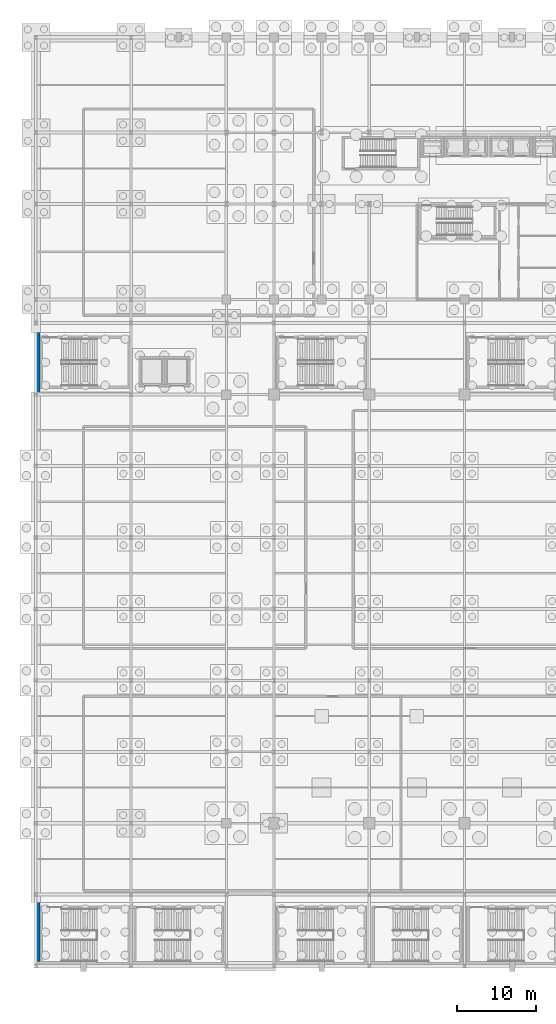
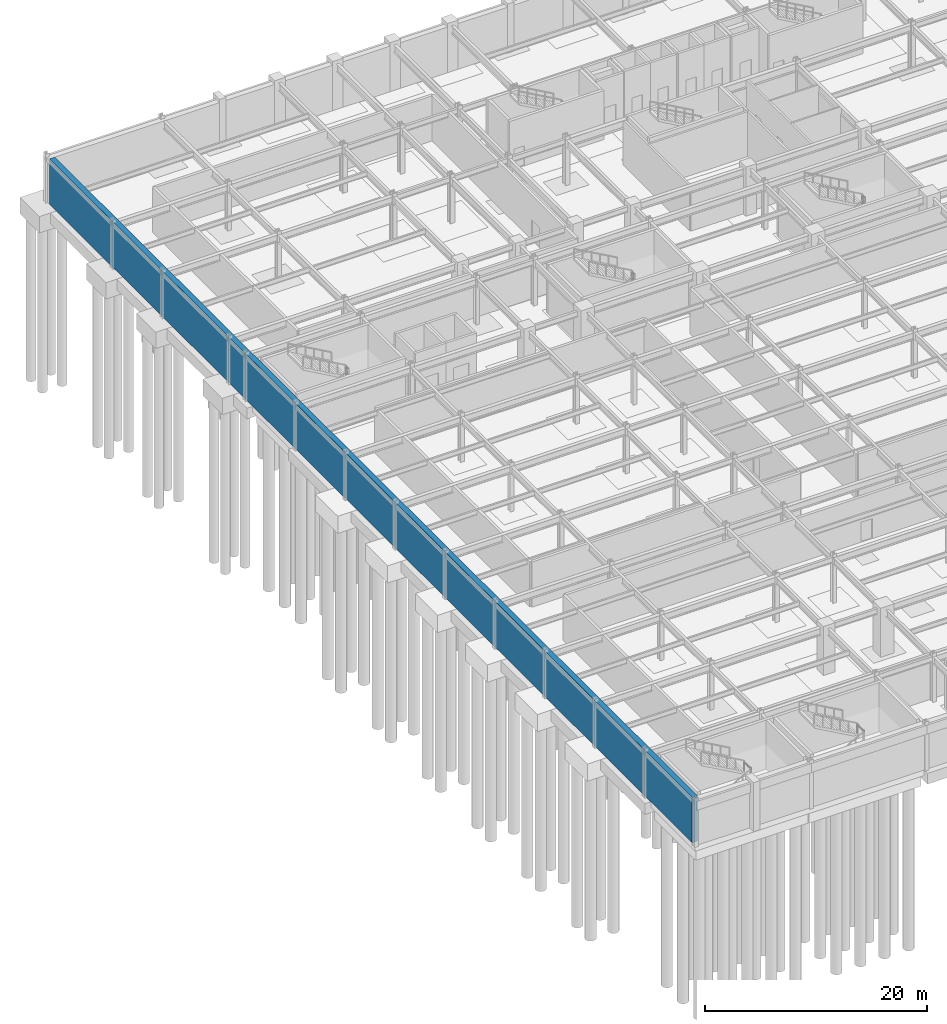
# One storey, part 24 of 47: 1 wall.
"""IFC4 building model written with IfcOpenShell, lengths in metres."""

import ifcopenshell
import ifcopenshell.guid

model = None  # the IFC model being written
_history = None  # IfcOwnerHistory: only IFC2X3 demands one
_inside = {}  # id of a spatial element -> (the spatial element, [elements in it])
_under = {}  # id of a project, library or spatial element -> (it, [spatial elements below it])
_declared = {}  # id of a project -> (the project, [libraries it declares])
_typed = {}  # id of a type object -> (the type object, [elements of that type])
_made_of = {}  # id of a material, layer set ... -> (it, [elements and type objects made of it])


def new_model(schema):
    """Start an empty IFC model of exactly this schema.

    Asked for "IFC4X3", IfcOpenShell would pick the latest addendum, in which some entities
    have other attributes; the version numbers below select the first issue.
    IFC2X3 requires an IfcOwnerHistory on every rooted entity: one is made here for all.
    """
    global model, _history
    if schema == "IFC4X3":
        model = ifcopenshell.file(schema_version=(4, 3, 0, 0))
    else:
        model = ifcopenshell.file(schema=schema)
    _inside.clear()
    _under.clear()
    _declared.clear()
    _typed.clear()
    _made_of.clear()
    _history = None
    if model.schema == "IFC2X3":
        org = make("IfcOrganization", Name="unknown")
        user = make(
            "IfcPersonAndOrganization",
            ThePerson=make("IfcPerson", FamilyName="unknown"),
            TheOrganization=org,
        )
        app = make(
            "IfcApplication",
            ApplicationDeveloper=org,
            Version="unknown",
            ApplicationFullName="unknown",
            ApplicationIdentifier="unknown",
        )
        _history = make(
            "IfcOwnerHistory",
            OwningUser=user,
            OwningApplication=app,
            ChangeAction="ADDED",
            CreationDate=0,
        )
    return model


def make(cls, **values):
    """One entity of the class cls with the attributes given. An attribute that is None is left unset."""
    return model.create_entity(
        cls, **{name: value for name, value in values.items() if value is not None}
    )


def rooted(cls, **values):
    """An entity with a GlobalId (a new one), such as an element, a storey or a relation."""
    return make(cls, GlobalId=ifcopenshell.guid.new(), OwnerHistory=_history, **values)


def si_unit(unit_type, name, prefix=None):
    """IfcSIUnit, for example si_unit("LENGTHUNIT", "METRE", prefix="MILLI")."""
    return make("IfcSIUnit", UnitType=unit_type, Prefix=prefix, Name=name)


def assignment(units):
    """IfcUnitAssignment: the units of a project."""
    return None if units is None else make("IfcUnitAssignment", Units=units)


def point(xyz):
    """IfcCartesianPoint."""
    return None if xyz is None else make("IfcCartesianPoint", Coordinates=xyz)


def direction(xyz):
    """IfcDirection."""
    return None if xyz is None else make("IfcDirection", DirectionRatios=xyz)


def frame(location, z_axis=None, x_axis=None):
    """IfcAxis2Placement3D, a coordinate frame: its origin and axes. An axis left out is left unset."""
    return make(
        "IfcAxis2Placement3D",
        Location=point(location),
        Axis=direction(z_axis),
        RefDirection=direction(x_axis),
    )


def frame_2d(location, x_axis=None):
    """IfcAxis2Placement2D, a coordinate frame in the plane: its origin and x axis."""
    return make(
        "IfcAxis2Placement2D", Location=point(location), RefDirection=direction(x_axis)
    )


def origin():
    """The frame at (0, 0, 0) with its axes left unset."""
    return frame((0.0, 0.0, 0.0))


def place(relative_to, where):
    """IfcLocalPlacement: puts the frame where relative to a parent placement (None: the world)."""
    return make(
        "IfcLocalPlacement", PlacementRelTo=relative_to, RelativePlacement=where
    )


def context(
    kind, dimensions, precision=None, world=None, true_north=None, identifier=None
):
    """IfcGeometricRepresentationContext, for example the 3D "Model" context."""
    return make(
        "IfcGeometricRepresentationContext",
        ContextIdentifier=identifier,
        ContextType=kind,
        CoordinateSpaceDimension=dimensions,
        Precision=precision,
        WorldCoordinateSystem=world,
        TrueNorth=true_north,
    )


def subcontext(parent, identifier, kind, view, scale=None):
    """IfcGeometricRepresentationSubContext, for example "Body" below "Model"."""
    return make(
        "IfcGeometricRepresentationSubContext",
        ContextIdentifier=identifier,
        ContextType=kind,
        ParentContext=parent,
        TargetScale=scale,
        TargetView=view,
    )


def project(units=None, contexts=None):
    """IfcProject with its units and contexts."""
    return rooted(
        "IfcProject",
        Name="project",
        RepresentationContexts=contexts,
        UnitsInContext=assignment(units),
    )


def spatial(cls, under=None, at=None, **own):
    """A site, building, storey or space (cls), placed at a placement, below another one or the project."""
    s = rooted(cls, ObjectPlacement=at, **own)
    if under is not None:
        _under.setdefault(under.id(), (under, []))[1].append(s)
    return s


def profile(cls, at=None, kind="AREA", **sizes):
    """A parametric profile (cls). Its sizes go by their IFC names, for example OverallWidth=200.0."""
    return make(cls, ProfileType=kind, Position=at, **sizes)


def rectangle(**sizes):
    """IfcRectangleProfileDef."""
    return profile("IfcRectangleProfileDef", **sizes)


def extrude(swept, where, along, depth):
    """IfcExtrudedAreaSolid: the profile swept, set in the frame where, extruded along a direction by depth."""
    return make(
        "IfcExtrudedAreaSolid",
        SweptArea=swept,
        Position=where,
        ExtrudedDirection=direction(along),
        Depth=depth,
    )


def shape(context_of_items, identifier, shape_type, items):
    """IfcShapeRepresentation: the items that make up one representation, for example the "Body"."""
    return make(
        "IfcShapeRepresentation",
        ContextOfItems=context_of_items,
        RepresentationIdentifier=identifier,
        RepresentationType=shape_type,
        Items=items,
    )


def material(Name=None, Category=None):
    """IfcMaterial."""
    return make("IfcMaterial", Name=Name, Category=Category)


def layer(
    of_material, thickness, ventilated=None, Name=None, Category=None, Priority=None
):
    """IfcMaterialLayer: one layer of a wall or slab, of a material (None: an air gap)."""
    return make(
        "IfcMaterialLayer",
        Material=of_material,
        LayerThickness=thickness,
        IsVentilated=ventilated,
        Name=Name,
        Category=Category,
        Priority=Priority,
    )


def layer_set(layers, Name=None):
    """IfcMaterialLayerSet."""
    return make("IfcMaterialLayerSet", MaterialLayers=layers, LayerSetName=Name)


def made_of(thing, what):
    """Note that an element or type object is made of a material, layer set ...; save() writes the relation."""
    if what is not None:
        _made_of.setdefault(what.id(), (what, []))[1].append(thing)
    return thing


def type_object(cls, material=None, **own):
    """A type object (cls), such as IfcWallType, which elements share."""
    return made_of(rooted(cls, **own), material)


def element(
    cls,
    number,
    at=None,
    inside=None,
    cuts=None,
    type_object=None,
    material=None,
    context=None,
    identifier="Body",
    shape_type=None,
    held_by="IfcProductDefinitionShape",
    body=None,
    shapes=None,
    **own,
):
    """One element of the class cls, such as IfcWall. Its Tag is "e" and its number.

    at: its placement. inside: the storey or other place that contains it. cuts: it is an
    opening in that element (IfcRelVoidsElement). A single representation is given by context,
    identifier, shape_type and body (its items); several are given by shapes. held_by: the class
    of the entity that holds the representations. save() writes the other relations.
    """
    e = rooted(cls, Tag="e%d" % number, ObjectPlacement=at, **own)
    if body is not None:
        shapes = [shape(context, identifier, shape_type, body)]
    if shapes is not None:
        e.Representation = make(held_by, Representations=shapes)
    if inside is not None:
        _inside.setdefault(inside.id(), (inside, []))[1].append(e)
    if cuts is not None:
        rooted(
            "IfcRelVoidsElement", RelatingBuildingElement=cuts, RelatedOpeningElement=e
        )
    if type_object is not None:
        _typed.setdefault(type_object.id(), (type_object, []))[1].append(e)
    return made_of(e, material)


def aggregate(whole, parts):
    """IfcRelAggregates: a whole, such as a stair, and the parts it consists of."""
    return rooted("IfcRelAggregates", RelatingObject=whole, RelatedObjects=parts)


def save(model, path):
    """Write the relations noted so far, then the file.

    IfcRelAggregates (storeys below a building ...), IfcRelContainedInSpatialStructure (elements
    in a storey), IfcRelDefinesByType, IfcRelAssociatesMaterial and IfcRelDeclares: one each for
    every whole, place, type object, material and project.
    """
    for whole, parts in _under.values():
        aggregate(whole, parts)
    for where, things in _inside.values():
        rooted(
            "IfcRelContainedInSpatialStructure",
            RelatedElements=things,
            RelatingStructure=where,
        )
    for kind, things in _typed.values():
        rooted("IfcRelDefinesByType", RelatedObjects=things, RelatingType=kind)
    for what, things in _made_of.values():
        rooted("IfcRelAssociatesMaterial", RelatedObjects=things, RelatingMaterial=what)
    for by, libraries in _declared.values():
        rooted("IfcRelDeclares", RelatingContext=by, RelatedDefinitions=libraries)
    model.write(path)


model = new_model("IFC4")

# Units and contexts
model_context = context("Model", 3, precision=1e-05, world=origin(), true_north=direction((0.0, 1.0)))
body_context = subcontext(model_context, "Body", "Model", "MODEL_VIEW")
ifc_project = project(units=[si_unit("LENGTHUNIT", "METRE"), si_unit("AREAUNIT", "SQUARE_METRE"), si_unit("VOLUMEUNIT", "CUBIC_METRE"), si_unit("PLANEANGLEUNIT", "RADIAN"), si_unit("MASSUNIT", "GRAM", prefix="KILO")], contexts=[model_context])

# Site, building, storey
site_placement = place(None, origin())
site = spatial("IfcSite", under=ifc_project, at=site_placement, CompositionType="ELEMENT")
building_placement = place(site_placement, origin())
building = spatial("IfcBuilding", under=site, at=building_placement, Name="Kaldorvane Square Convention Centre", CompositionType="ELEMENT")
storey_placement = place(building_placement, frame((0.0, 0.0, -5.399993896484375)))
storey = spatial("IfcBuildingStorey", under=building, at=storey_placement, Name="B01", CompositionType="ELEMENT", Elevation=-5.399993896484375)

# Wall
ifc_material = material(Name="Concrete f'c = 42 MPa (Normalweight)", Category="concrete")
ifc_layer = layer(ifc_material, 0.5500030517578125)
ifc_layer_set = layer_set([ifc_layer], Name="Concrete f'c = 42 MPa (Normalweight)")
wall_type = type_object("IfcWallType", Name="WL-RET-550", PredefinedType="SOLIDWALL", material=ifc_layer_set)
wall_placement = place(storey_placement, frame((0.274993896484375, 116.44999694824219, 0.0), z_axis=(0.0, 0.0, 1.0), x_axis=(0.0, -1.0, 0.0)))
element("IfcWall", 1, at=wall_placement, inside=storey, type_object=wall_type, Name="Basement Perimeter Retaining Wall W", PredefinedType="SOLIDWALL", context=body_context, shape_type="SweptSolid", body=[
    extrude(rectangle(XDim=115.89999389648438, YDim=0.5500030517578125, at=frame_2d((57.94999694824219, 0.0))), origin(), (0.0, 0.0, 1.0), 5.019989013671875),
])

save(model, "model.ifc")
